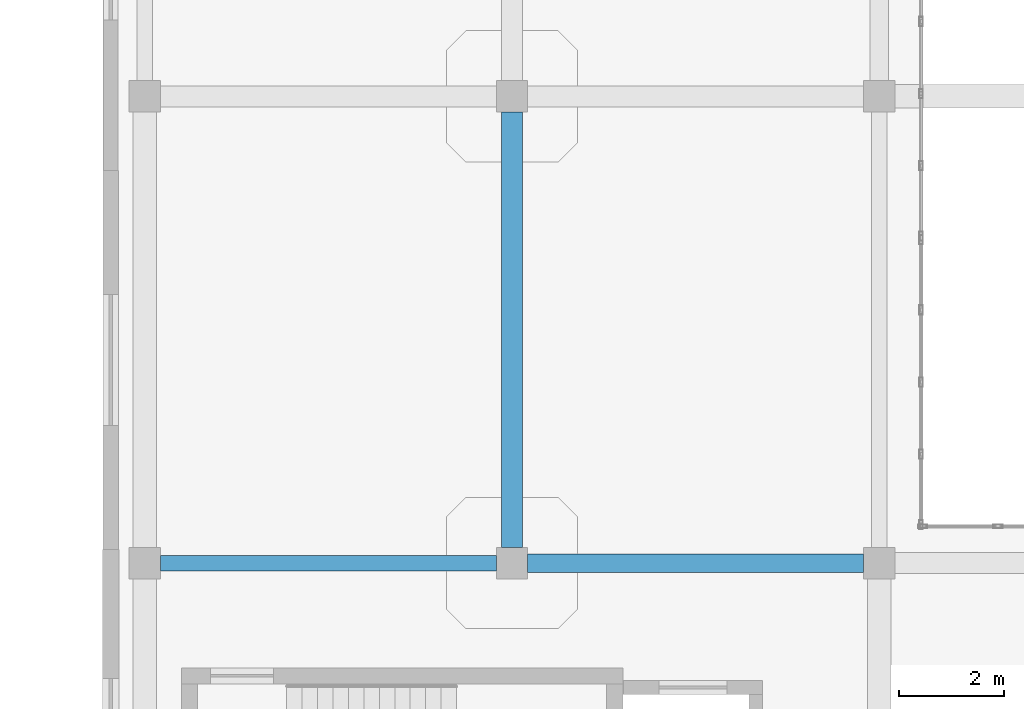
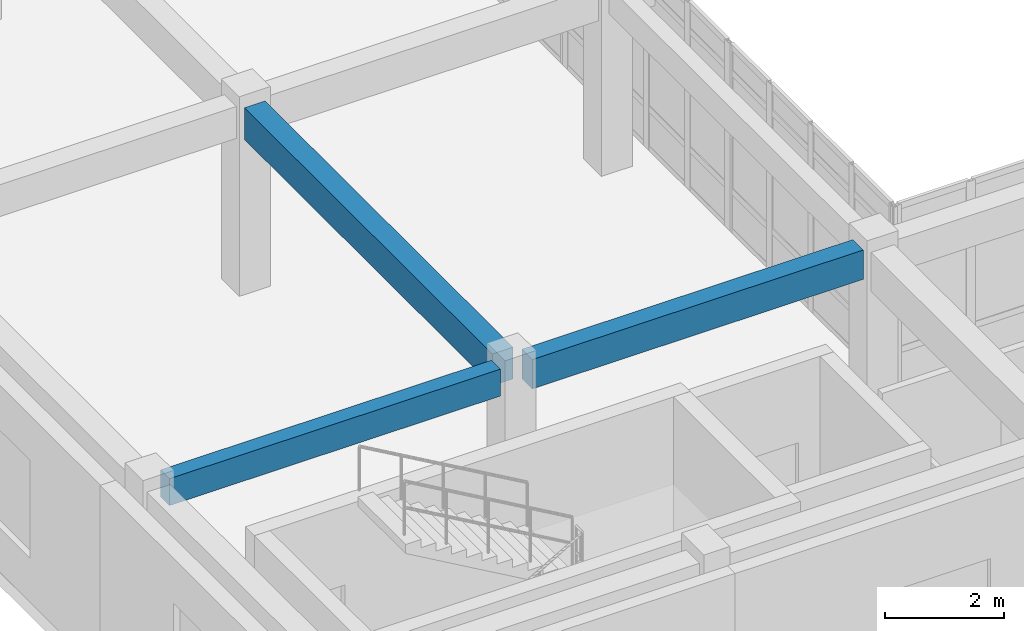
# One storey, part 80 of 146: 3 beams.
"""IFC4 building model written with IfcOpenShell, lengths in metres."""

from ifc_helpers import new_model, si_unit, direction, frame, origin, origin_2d, place, context, subcontext, project, spatial, rectangle, extrude, material, material_profile, profile_set, type_object, element, save


model = new_model("IFC4")

# Units and contexts
model_context = context("Model", 3, precision=1e-05, world=origin(), true_north=direction((0.0, 1.0)))
body_context = subcontext(model_context, "Body", "Model", "MODEL_VIEW")
ifc_project = project(units=[si_unit("LENGTHUNIT", "METRE"), si_unit("AREAUNIT", "SQUARE_METRE"), si_unit("VOLUMEUNIT", "CUBIC_METRE"), si_unit("PLANEANGLEUNIT", "RADIAN"), si_unit("MASSUNIT", "GRAM", prefix="KILO")], contexts=[model_context])

# Site, building, storey
site_placement = place(None, origin())
site = spatial("IfcSite", under=ifc_project, at=site_placement, CompositionType="ELEMENT")
building_placement = place(site_placement, origin())
building = spatial("IfcBuilding", under=site, at=building_placement, Name="Valcora Specialist Clinic", CompositionType="ELEMENT")
storey_placement = place(building_placement, frame((0.0, 0.0, 9.52001953125)))
storey = spatial("IfcBuildingStorey", under=building, at=storey_placement, Name="L02", CompositionType="ELEMENT", Elevation=9.52001953125)

# Beams
ifc_material = material(Name="Concrete C40/50", Category="concrete")
ifc_material_profile_1 = material_profile(ifc_material, rectangle(XDim=0.300048828125, YDim=0.550048828125, at=origin_2d()), Name="RC-BM-300X550")
ifc_profile_set_1 = profile_set([ifc_material_profile_1], Name="Concrete C40/50")
beam_type_1 = type_object("IfcBeamType", Name="TY-BM-RC300X550", PredefinedType="BEAM", material=ifc_profile_set_1)
beam_1_placement = place(storey_placement, frame((62.300048828125, 81.300048828125, 3.544921875), z_axis=(1.0, 0.0, 0.0), x_axis=(0.0, 1.0, 0.0)))
element("IfcBeam", 1, at=beam_1_placement, inside=storey, type_object=beam_type_1, Name="Beam BM-L02-0703", PredefinedType="BEAM", context=body_context, shape_type="SweptSolid", body=[
    extrude(rectangle(XDim=0.300048828125, YDim=0.550048828125, at=origin_2d()), origin(), (0.0, 0.0, 1.0), 6.39990234375),
])
ifc_material_profile_2 = material_profile(ifc_material, rectangle(XDim=0.35009765625, YDim=0.60009765625, at=origin_2d()), Name="RC-BM-350X600")
ifc_profile_set_2 = profile_set([ifc_material_profile_2], Name="Concrete C40/50")
beam_type_2 = type_object("IfcBeamType", Name="TY-BM-RC350X600", PredefinedType="BEAM", material=ifc_profile_set_2)
beam_2_placement = place(storey_placement, frame((69.300048828125, 81.300048828125, 3.52001953125), z_axis=(1.0, 0.0, 0.0), x_axis=(0.0, 1.0, 0.0)))
element("IfcBeam", 2, at=beam_2_placement, inside=storey, type_object=beam_type_2, Name="Beam BM-L02-0704", PredefinedType="BEAM", context=body_context, shape_type="SweptSolid", body=[
    extrude(rectangle(XDim=0.35009765625, YDim=0.60009765625, at=origin_2d()), origin(), (0.0, 0.0, 1.0), 6.39990234375),
])
ifc_material_profile_3 = material_profile(ifc_material, rectangle(XDim=0.39990234375, YDim=0.64990234375, at=origin_2d()), Name="RC-BM-400X650")
ifc_profile_set_3 = profile_set([ifc_material_profile_3], Name="Concrete C40/50")
beam_type_3 = type_object("IfcBeamType", Name="TY-BM-RC400X650", PredefinedType="BEAM", material=ifc_profile_set_3)
beam_3_placement = place(storey_placement, frame((69.0, 81.60009765625, 3.494873046875), z_axis=(0.0, 1.0, 0.0), x_axis=(-1.0, 0.0, 0.0)))
element("IfcBeam", 3, at=beam_3_placement, inside=storey, type_object=beam_type_3, Name="Beam BM-L02-0739", PredefinedType="BEAM", context=body_context, shape_type="SweptSolid", body=[
    extrude(rectangle(XDim=0.39990234375, YDim=0.64990234375, at=origin_2d()), origin(), (0.0, 0.0, 1.0), 8.2998046875),
])

save(model, "model.ifc")
